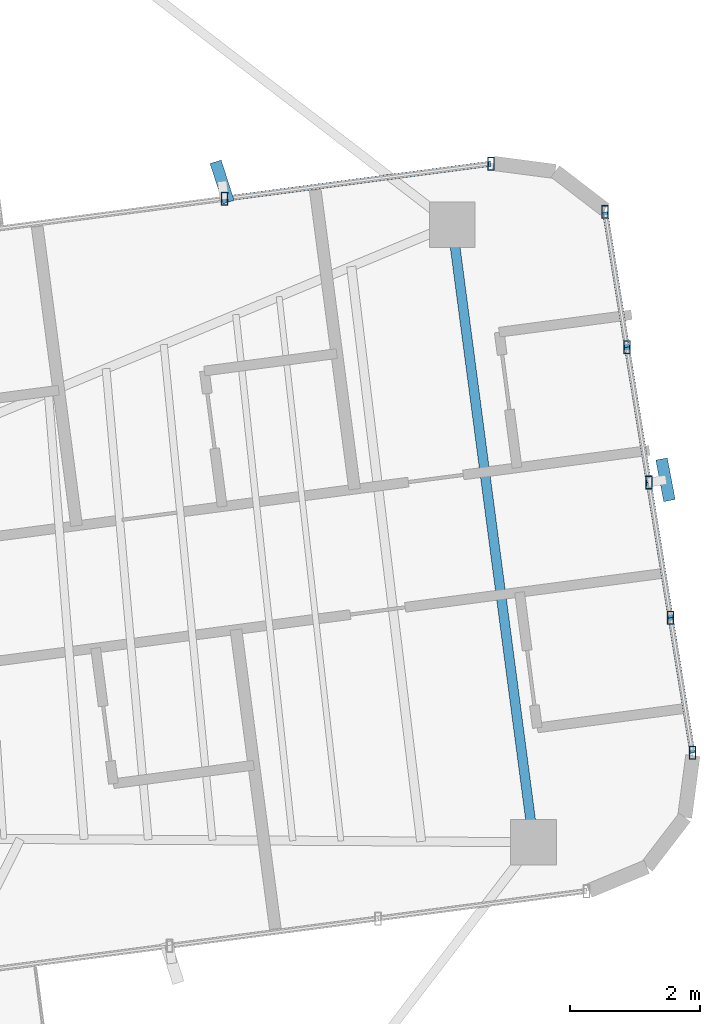
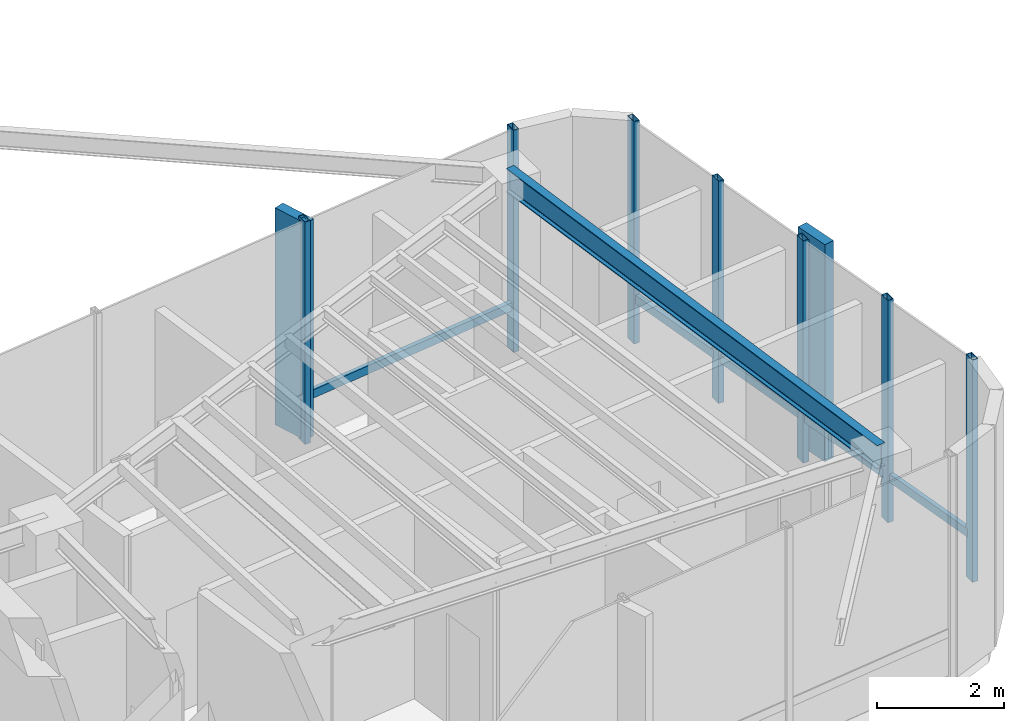
# One storey, part 9 of 20: 14 members, 1 beam, 2 elements without a shape of their own.
"""IFC4 building model written with IfcOpenShell, lengths in metres."""

from ifc_helpers import new_model, si_unit, direction, frame, origin, origin_2d, place, context, subcontext, project, spatial, rectangle, hollow_rectangle, i_section, extrude, source, transform, mapped, material, material_profile, profile_set, type_object, element, aggregate, save


model = new_model("IFC4")

# Units and contexts
model_context = context("Model", 3, precision=1e-05, world=origin(), true_north=direction((0.0, 1.0)))
body_context = subcontext(model_context, "Body", "Model", "MODEL_VIEW")
ifc_project = project(units=[si_unit("LENGTHUNIT", "METRE"), si_unit("AREAUNIT", "SQUARE_METRE"), si_unit("VOLUMEUNIT", "CUBIC_METRE"), si_unit("PLANEANGLEUNIT", "RADIAN"), si_unit("MASSUNIT", "GRAM", prefix="KILO")], contexts=[model_context])

# Site, building, storey
site_placement = place(None, origin())
site = spatial("IfcSite", under=ifc_project, at=site_placement, CompositionType="ELEMENT")
building_placement = place(site_placement, origin())
building = spatial("IfcBuilding", under=site, at=building_placement, Name="Sahyath Konkavel Grand Hotel", CompositionType="ELEMENT")
storey_placement = place(building_placement, frame((0.0, 0.0, 229.949951171875)))
storey = spatial("IfcBuildingStorey", under=building, at=storey_placement, Name="L64", CompositionType="ELEMENT", Elevation=229.949951171875)

# Beam
ifc_material_1 = material(Name="Steel E350", Category="steel")
ifc_material_profile_1 = material_profile(ifc_material_1, i_section(OverallWidth=0.14990234375, OverallDepth=0.449951171875, WebThickness=0.009521484375, FlangeThickness=0.017333984375, FilletRadius=0.014892578125, at=origin_2d()), Name="ISMB 450")
ifc_profile_set_1 = profile_set([ifc_material_profile_1], Name="Steel E350")
beam_type = type_object("IfcBeamType", Name="BM-ISMB450", PredefinedType="BEAM", material=ifc_profile_set_1)
shared_shape_1 = source(origin(), body_context, "Body", "SweptSolid", [
    extrude(i_section(OverallWidth=0.14990234375, OverallDepth=0.449951171875, WebThickness=0.009521484375, FlangeThickness=0.017333984375, FilletRadius=0.014892578125, at=origin_2d()), origin(), (0.0, 0.0, 1.0), 9.56591796875),
])
beam_placement = place(storey_placement, frame((17.822998046875, -2.477783203125, 4.03515625), z_axis=(-0.130543638296, 0.991442564398, 0.0), x_axis=(-0.991442564398, -0.130543638296, 0.0)))
element("IfcBeam", 1, at=beam_placement, inside=storey, type_object=beam_type, Name="L64 Wing Tip Edge Beam E", PredefinedType="BEAM", context=body_context, shape_type="MappedRepresentation", body=[
    mapped(shared_shape_1, transform((0.0, 0.0, 0.0), scale=1.0)),
])

# Curtain wall, members
ifc_material_2 = material(Name="Anodised Bronze Aluminium & Low-E Glazing", Category="aluminium")
curtain_wall_type = type_object("IfcCurtainWallType", Name="CW-SKYLOBBY", PredefinedType="NOTDEFINED", material=ifc_material_2)
curtain_wall_1_placement = place(storey_placement, origin())
curtain_wall_1 = element("IfcCurtainWall", 2, at=curtain_wall_1_placement, inside=storey, type_object=curtain_wall_type, Name="L64 Unitised Curtain Wall F4", PredefinedType="NOTDEFINED")
ifc_material_3 = material(Name="Anodised Bronze Aluminium", Category="aluminium")
ifc_material_profile_2 = material_profile(ifc_material_3, hollow_rectangle(XDim=0.10009765625, YDim=0.199951171875, WallThickness=0.008056640625, at=origin_2d()), Name="RHS 200x100x8")
ifc_profile_set_2 = profile_set([ifc_material_profile_2], Name="Anodised Bronze Aluminium")
member_type_1 = type_object("IfcMemberType", Name="CW-MUL-200", PredefinedType="MULLION", material=ifc_profile_set_2)
shared_shape_2 = source(origin(), body_context, "Body", "SweptSolid", [
    extrude(hollow_rectangle(XDim=0.10009765625, YDim=0.199951171875, WallThickness=0.008056640625, at=origin_2d()), origin(), (0.0, 0.0, 1.0), 4.260009765625),
])
member_1_placement = place(storey_placement, frame((20.263671875, -1.107421875, 0.0), z_axis=(0.0, 0.0, 1.0), x_axis=(1.0, 0.0, 0.0)))
member_1 = element("IfcMember", 3, at=member_1_placement, type_object=member_type_1, Name="L64 Curtain Wall Mullion F4-0", PredefinedType="MULLION", context=body_context, shape_type="MappedRepresentation", body=[
    mapped(shared_shape_2, transform((0.0, 0.0, 0.0), scale=1.0)),
])
member_2_placement = place(storey_placement, frame((19.928466796875, 0.96923828125, 0.0), z_axis=(0.0, 0.0, 1.0), x_axis=(1.0, 0.0, 0.0)))
member_2 = element("IfcMember", 4, at=member_2_placement, type_object=member_type_1, Name="L64 Curtain Wall Mullion F4-1", PredefinedType="MULLION", context=body_context, shape_type="MappedRepresentation", body=[
    mapped(shared_shape_2, transform((0.0, 0.0, 0.0), scale=1.0)),
])
member_3_placement = place(storey_placement, frame((19.593017578125, 3.0458984375, 0.0), z_axis=(0.0, 0.0, 1.0), x_axis=(1.0, 0.0, 0.0)))
member_3 = element("IfcMember", 5, at=member_3_placement, type_object=member_type_1, Name="L64 Curtain Wall Mullion F4-2", PredefinedType="MULLION", context=body_context, shape_type="MappedRepresentation", body=[
    mapped(shared_shape_2, transform((0.0, 0.0, 0.0), scale=1.0)),
])
member_4_placement = place(storey_placement, frame((19.2578125, 5.122802734375, 0.0), z_axis=(0.0, 0.0, 1.0), x_axis=(1.0, 0.0, 0.0)))
member_4 = element("IfcMember", 6, at=member_4_placement, type_object=member_type_1, Name="L64 Curtain Wall Mullion F4-3", PredefinedType="MULLION", context=body_context, shape_type="MappedRepresentation", body=[
    mapped(shared_shape_2, transform((0.0, 0.0, 0.0), scale=1.0)),
])
member_5_placement = place(storey_placement, frame((18.922607421875, 7.199462890625, 0.0), z_axis=(0.0, 0.0, 1.0), x_axis=(1.0, 0.0, 0.0)))
member_5 = element("IfcMember", 7, at=member_5_placement, type_object=member_type_1, Name="L64 Curtain Wall Mullion F4-4", PredefinedType="MULLION", context=body_context, shape_type="MappedRepresentation", body=[
    mapped(shared_shape_2, transform((0.0, 0.0, 0.0), scale=1.0)),
])

curtain_wall_2_placement = place(storey_placement, origin())
curtain_wall_2 = element("IfcCurtainWall", 8, at=curtain_wall_2_placement, inside=storey, type_object=curtain_wall_type, Name="L64 Unitised Curtain Wall F7", PredefinedType="NOTDEFINED")
member_6_placement = place(storey_placement, frame((17.167236328125, 7.941650390625, 0.0), z_axis=(0.0, 0.0, 1.0), x_axis=(1.0, 0.0, 0.0)))
member_6 = element("IfcMember", 9, at=member_6_placement, type_object=member_type_1, Name="L64 Curtain Wall Mullion F7-0", PredefinedType="MULLION", context=body_context, shape_type="MappedRepresentation", body=[
    mapped(shared_shape_2, transform((0.0, 0.0, 0.0), scale=1.0)),
])
member_7_placement = place(storey_placement, frame((13.07470703125, 7.40283203125, 0.0), z_axis=(0.0, 0.0, 1.0), x_axis=(1.0, 0.0, 0.0)))
member_7 = element("IfcMember", 10, at=member_7_placement, type_object=member_type_1, Name="L64 Curtain Wall Mullion F7-1", PredefinedType="MULLION", context=body_context, shape_type="MappedRepresentation", body=[
    mapped(shared_shape_2, transform((0.0, 0.0, 0.0), scale=1.0)),
])

# Member
ifc_material_4 = material(Name="Warm Buff Sandstone Cladding on Concrete C50/60", Category="masonry")
ifc_material_profile_3 = material_profile(ifc_material_4, rectangle(XDim=0.179931640625, YDim=0.64990234375, at=origin_2d()), Name="FIN 180x650")
ifc_profile_set_3 = profile_set([ifc_material_profile_3], Name="Warm Buff Sandstone Cladding on Concrete C50/60")
member_type_2 = type_object("IfcMemberType", Name="FIN-SANDSTONE-650", PredefinedType="MULLION", material=ifc_profile_set_3)
shared_shape_3 = source(origin(), body_context, "Body", "SweptSolid", [
    extrude(rectangle(XDim=0.179931640625, YDim=0.64990234375, at=origin_2d()), origin(), (0.0, 0.0, 1.0), 4.159912109375),
])
member_8_placement = place(storey_placement, frame((19.849853515625, 3.08740234375, 0.050048828125), z_axis=(0.0, 0.0, 1.0), x_axis=(0.982254531559, 0.187552753198, 0.0)))
member_8 = element("IfcMember", 11, at=member_8_placement, type_object=member_type_2, Name="L64 Sandstone Vertical Solar Fin FIN F4-2", PredefinedType="MULLION", context=body_context, shape_type="MappedRepresentation", body=[
    mapped(shared_shape_3, transform((0.0, 0.0, 0.0), scale=1.0)),
])

member_9_placement = place(storey_placement, frame((13.040771484375, 7.66064453125, 0.050048828125), z_axis=(0.0, 0.0, 1.0), x_axis=(0.952022626946, 0.306027642189, 0.0)))
member_9 = element("IfcMember", 12, at=member_9_placement, type_object=member_type_2, Name="L64 Sandstone Vertical Solar Fin FIN F7-1", PredefinedType="MULLION", context=body_context, shape_type="MappedRepresentation", body=[
    mapped(shared_shape_3, transform((0.0, 0.0, 0.0), scale=1.0)),
])

ifc_material_profile_4 = material_profile(ifc_material_3, hollow_rectangle(XDim=0.080078125, YDim=0.159912109375, WallThickness=0.006103515625, at=origin_2d()), Name="RHS 160x80x6")
ifc_profile_set_4 = profile_set([ifc_material_profile_4], Name="Anodised Bronze Aluminium")
member_type_3 = type_object("IfcMemberType", Name="CW-TRN-160", PredefinedType="USERDEFINED", material=ifc_profile_set_4)
shared_shape_4 = source(origin(), body_context, "Body", "SweptSolid", [
    extrude(hollow_rectangle(XDim=0.080078125, YDim=0.159912109375, WallThickness=0.006103515625, at=origin_2d()), origin(), (0.0, 0.0, 1.0), 2.103515625),
])
member_10_placement = place(storey_placement, frame((20.263671875, -1.107421875, 0.85009765625), z_axis=(-0.159352854703, 0.987221691262, 0.0), x_axis=(-0.987221691262, -0.159352854703, 0.0)))
member_10 = element("IfcMember", 13, at=member_10_placement, type_object=member_type_3, Name="L64 Curtain Wall Transom F4-0-spandrel", ObjectType="TRANSOM", PredefinedType="USERDEFINED", context=body_context, shape_type="MappedRepresentation", body=[
    mapped(shared_shape_4, transform((0.0, 0.0, 0.0), scale=1.0)),
])

member_11_placement = place(storey_placement, frame((19.928466796875, 0.96923828125, 0.85009765625), z_axis=(-0.159465966171, 0.987203426672, 0.0), x_axis=(-0.987203426672, -0.159465966171, 0.0)))
member_11 = element("IfcMember", 14, at=member_11_placement, type_object=member_type_3, Name="L64 Curtain Wall Transom F4-1-spandrel", ObjectType="TRANSOM", PredefinedType="USERDEFINED", context=body_context, shape_type="MappedRepresentation", body=[
    mapped(shared_shape_4, transform((0.0, 0.0, 0.0), scale=1.0)),
])

member_12_placement = place(storey_placement, frame((19.2578125, 5.122802734375, 0.85009765625), z_axis=(-0.159352854703, 0.987221691262, 0.0), x_axis=(-0.987221691262, -0.159352854703, 0.0)))
member_12 = element("IfcMember", 15, at=member_12_placement, type_object=member_type_3, Name="L64 Curtain Wall Transom F4-3-spandrel", ObjectType="TRANSOM", PredefinedType="USERDEFINED", context=body_context, shape_type="MappedRepresentation", body=[
    mapped(shared_shape_4, transform((0.0, 0.0, 0.0), scale=1.0)),
])

shared_shape_5 = source(origin(), body_context, "Body", "SweptSolid", [
    extrude(hollow_rectangle(XDim=0.080078125, YDim=0.159912109375, WallThickness=0.006103515625, at=origin_2d()), origin(), (0.0, 0.0, 1.0), 2.103759765625),
])
member_13_placement = place(storey_placement, frame((19.593017578125, 3.0458984375, 0.85009765625), z_axis=(-0.15933459832, 0.987224637951, 0.0), x_axis=(-0.987224637951, -0.15933459832, 0.0)))
member_13 = element("IfcMember", 16, at=member_13_placement, type_object=member_type_3, Name="L64 Curtain Wall Transom F4-2-spandrel", ObjectType="TRANSOM", PredefinedType="USERDEFINED", context=body_context, shape_type="MappedRepresentation", body=[
    mapped(shared_shape_5, transform((0.0, 0.0, 0.0), scale=1.0)),
])

aggregate(curtain_wall_1, [member_1, member_2, member_3, member_8, member_4, member_5, member_10, member_11, member_13, member_12])

shared_shape_6 = source(origin(), body_context, "Body", "SweptSolid", [
    extrude(hollow_rectangle(XDim=0.080078125, YDim=0.159912109375, WallThickness=0.006103515625, at=origin_2d()), origin(), (0.0, 0.0, 1.0), 4.1279296875),
])
member_14_placement = place(storey_placement, frame((17.167236328125, 7.941650390625, 0.85009765625), z_axis=(-0.991444025678, -0.1305325398, 0.0), x_axis=(0.1305325398, -0.991444025678, 0.0)))
member_14 = element("IfcMember", 17, at=member_14_placement, type_object=member_type_3, Name="L64 Curtain Wall Transom F7-0-spandrel", ObjectType="TRANSOM", PredefinedType="USERDEFINED", context=body_context, shape_type="MappedRepresentation", body=[
    mapped(shared_shape_6, transform((0.0, 0.0, 0.0), scale=1.0)),
])

aggregate(curtain_wall_2, [member_6, member_7, member_9, member_14])

save(model, "model.ifc")
